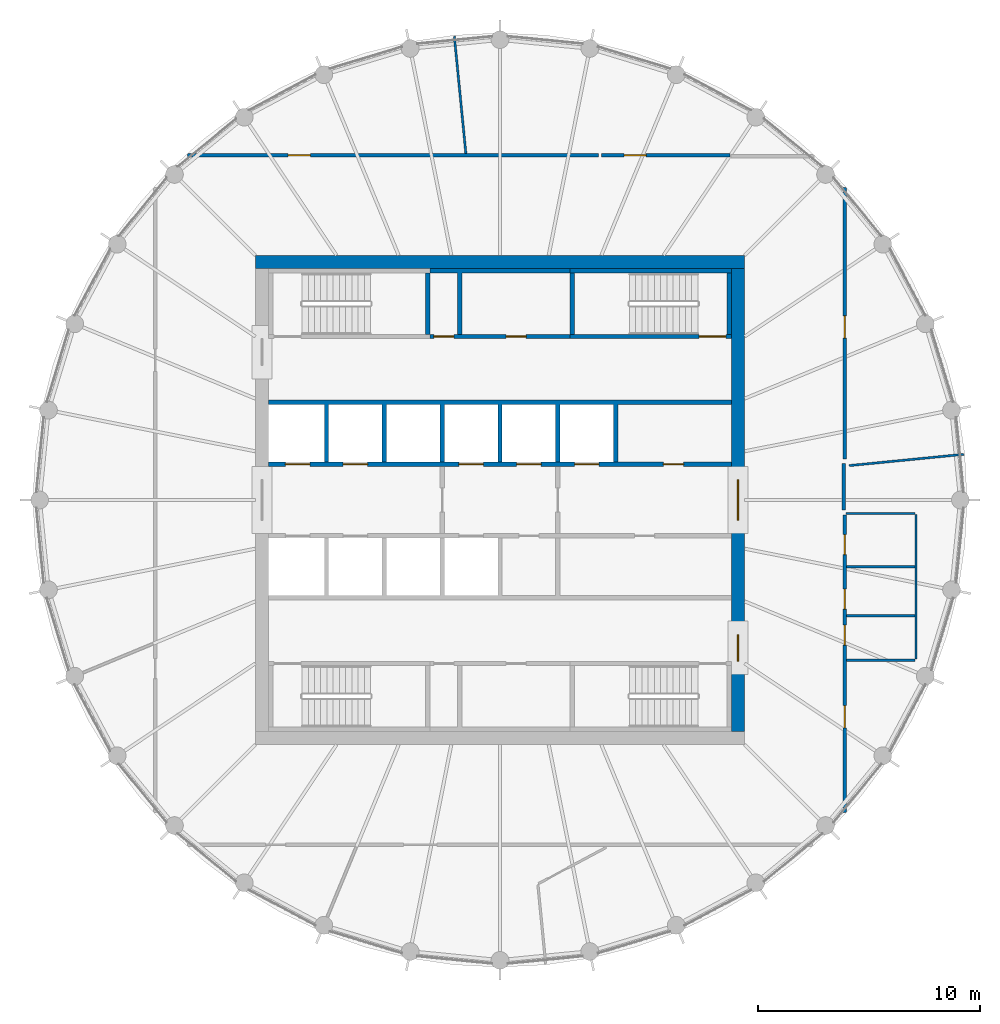
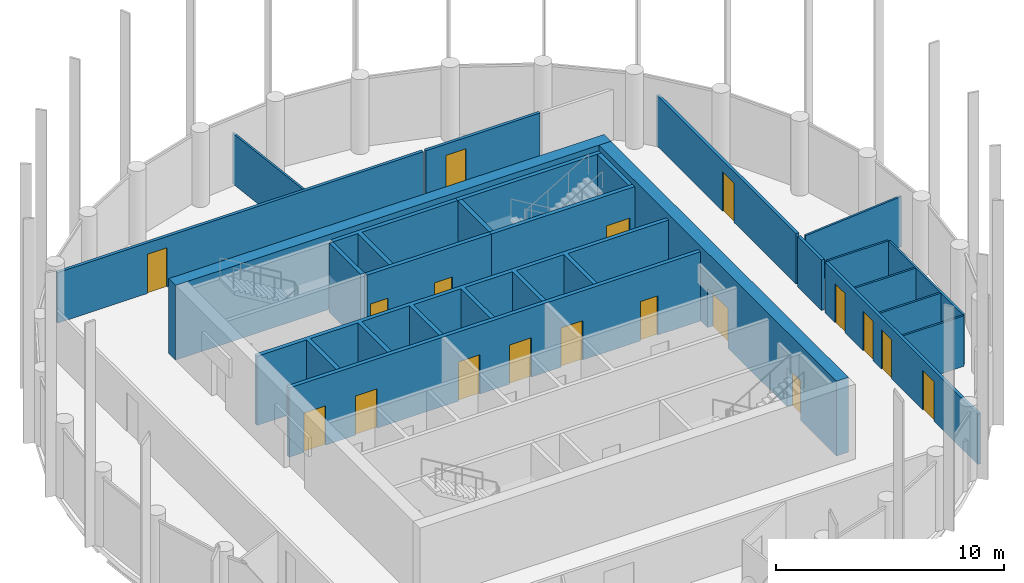
# One storey, part 5 of 7: 23 walls, 18 doors, 18 openings.
"""IFC4 building model written with IfcOpenShell, lengths in metres."""

from ifc_helpers import new_model, si_unit, direction, frame, frame_2d, origin, place, context, subcontext, project, spatial, polyline, rectangle, outline, extrude, material, layer, layer_set, type_object, element, fill, save


model = new_model("IFC4")

# Units and contexts
model_context = context("Model", 3, precision=1e-05, world=origin(), true_north=direction((0.0, 1.0)))
body_context = subcontext(model_context, "Body", "Model", "MODEL_VIEW")
ifc_project = project(units=[si_unit("LENGTHUNIT", "METRE"), si_unit("AREAUNIT", "SQUARE_METRE"), si_unit("VOLUMEUNIT", "CUBIC_METRE"), si_unit("PLANEANGLEUNIT", "RADIAN"), si_unit("MASSUNIT", "GRAM", prefix="KILO")], contexts=[model_context])

# Site, building, storey
site_placement = place(None, origin())
site = spatial("IfcSite", under=ifc_project, at=site_placement, CompositionType="ELEMENT")
building_placement = place(site_placement, origin())
building = spatial("IfcBuilding", under=site, at=building_placement, Name="Corvane Civic Tower", CompositionType="ELEMENT")
storey_placement = place(building_placement, frame((0.0, 0.0, 356.5)))
storey = spatial("IfcBuildingStorey", under=building, at=storey_placement, Name="L85", CompositionType="ELEMENT", Elevation=356.5)

# Wall
ifc_material_1 = material(Name="Concrete C40/50", Category="concrete")
ifc_layer_1 = layer(ifc_material_1, 0.60009765625)
ifc_layer_set_1 = layer_set([ifc_layer_1], Name="Concrete C40/50")
wall_type_1 = type_object("IfcWallType", Name="CORE WALL 600 C40/50", PredefinedType="SHEAR", material=ifc_layer_set_1)
wall_1_placement = place(storey_placement, frame((-11.0, 10.699951171875, 0.0), z_axis=(0.0, 0.0, 1.0), x_axis=(1.0, 0.0, 0.0)))
element("IfcWall", 1, at=wall_1_placement, inside=storey, type_object=wall_type_1, Name="W-L85-core-N", PredefinedType="SHEAR", context=body_context, shape_type="SweptSolid", body=[
    extrude(rectangle(XDim=22.0, YDim=0.60009765625, at=frame_2d((11.0, 0.0))), origin(), (0.0, 0.0, 1.0), 4.0),
])

# Wall, openings, doors
wall_2_placement = place(storey_placement, frame((10.699951171875, -10.39990234375, 0.0), z_axis=(0.0, 0.0, 1.0), x_axis=(0.0, 1.0, 0.0)))
wall_2 = element("IfcWall", 2, at=wall_2_placement, inside=storey, type_object=wall_type_1, Name="W-L85-core-E", PredefinedType="SHEAR", context=body_context, shape_type="SweptSolid", body=[
    extrude(rectangle(XDim=20.7998046875, YDim=0.60009765625, at=frame_2d((10.39990234375, 0.0))), origin(), (0.0, 0.0, 1.0), 4.0),
])
opening_1_placement = place(wall_2_placement, frame((9.5, 0.0, 0.0)))
opening_1 = element("IfcOpeningElement", 3, at=opening_1_placement, cuts=wall_2, Name="Opening L85.C15", PredefinedType="OPENING", context=body_context, shape_type="SweptSolid", body=[
    extrude(rectangle(XDim=1.800048828125, YDim=2.10009765625, at=frame_2d((0.89990234375, 1.050048828125))), frame((0.0, 0.31005859375, 0.0), z_axis=(0.0, -1.0, 0.0), x_axis=(1.0, 0.0, 0.0)), (0.0, 0.0, 1.0), 0.6201171875),
])
opening_2_placement = place(wall_2_placement, frame((3.14990234375, 0.0, 0.0)))
opening_2 = element("IfcOpeningElement", 4, at=opening_2_placement, cuts=wall_2, Name="Opening L85.C17", PredefinedType="OPENING", context=body_context, shape_type="SweptSolid", body=[
    extrude(rectangle(XDim=1.199951171875, YDim=2.10009765625, at=frame_2d((0.60009765625, 1.050048828125))), frame((0.0, 0.31005859375, 0.0), z_axis=(0.0, -1.0, 0.0), x_axis=(1.0, 0.0, 0.0)), (0.0, 0.0, 1.0), 0.6201171875),
])
ifc_material_2 = material(Name="Steel fire door leaf", Category="steel")
door_type_1 = type_object("IfcDoorType", Name="CR-DOOR-CORE-1800", OperationType="DOUBLE_DOOR_SINGLE_SWING", PredefinedType="DOOR", material=ifc_material_2)
door_1_placement = place(opening_1_placement, origin())
door_1 = element("IfcDoor", 5, at=door_1_placement, inside=storey, type_object=door_type_1, Name="L85 door", OperationType="DOUBLE_DOOR_SINGLE_SWING", OverallHeight=2.10009765625, OverallWidth=1.800048828125, PredefinedType="DOOR", context=body_context, shape_type="SweptSolid", body=[
    extrude(rectangle(XDim=1.800048828125, YDim=2.10009765625, at=frame_2d((0.89990234375, 1.050048828125))), frame((0.0, 0.02490234375, 0.0), z_axis=(0.0, -1.0, 0.0), x_axis=(1.0, 0.0, 0.0)), (0.0, 0.0, 1.0), 0.050048828125),
])
fill(opening_1, door_1)
door_2_placement = place(opening_2_placement, origin())
door_2 = element("IfcDoor", 6, at=door_2_placement, inside=storey, type_object=door_type_1, Name="L85 door", OperationType="DOUBLE_DOOR_SINGLE_SWING", OverallHeight=2.10009765625, OverallWidth=1.199951171875, PredefinedType="DOOR", context=body_context, shape_type="SweptSolid", body=[
    extrude(rectangle(XDim=1.199951171875, YDim=2.10009765625, at=frame_2d((0.60009765625, 1.050048828125))), frame((0.0, 0.02490234375, 0.0), z_axis=(0.0, -1.0, 0.0), x_axis=(1.0, 0.0, 0.0)), (0.0, 0.0, 1.0), 0.050048828125),
])
fill(opening_2, door_2)

ifc_material_3 = material(Name="Concrete C30/37", Category="concrete")
ifc_layer_2 = layer(ifc_material_3, 0.199951171875)
ifc_layer_set_2 = layer_set([ifc_layer_2], Name="Concrete C30/37")
wall_type_2 = type_object("IfcWallType", Name="CR-WALL-200", PredefinedType="PARTITIONING", material=ifc_layer_set_2)
wall_3_placement = place(storey_placement, frame((-10.39990234375, 1.60009765625, 0.0), z_axis=(0.0, 0.0, 1.0), x_axis=(1.0, 0.0, 0.0)))
wall_3 = element("IfcWall", 7, at=wall_3_placement, inside=storey, type_object=wall_type_2, Name="L85 lift shaft wall", PredefinedType="PARTITIONING", context=body_context, shape_type="SweptSolid", body=[
    extrude(rectangle(XDim=20.7998046875, YDim=0.199951171875, at=frame_2d((10.39990234375, 0.0))), origin(), (0.0, 0.0, 1.0), 3.699951171875),
])
opening_3_placement = place(wall_3_placement, frame((0.75, 0.0, 0.0)))
opening_3 = element("IfcOpeningElement", 8, at=opening_3_placement, cuts=wall_3, Name="Opening LD", PredefinedType="OPENING", context=body_context, shape_type="SweptSolid", body=[
    extrude(rectangle(XDim=1.10009765625, YDim=2.10009765625, at=frame_2d((0.550048828125, 1.050048828125))), frame((0.0, 0.10986328125, 0.0), z_axis=(0.0, -1.0, 0.0), x_axis=(1.0, 0.0, 0.0)), (0.0, 0.0, 1.0), 0.219970703125),
])
opening_4_placement = place(wall_3_placement, frame((3.35009765625, 0.0, 0.0)))
opening_4 = element("IfcOpeningElement", 9, at=opening_4_placement, cuts=wall_3, Name="Opening LD", PredefinedType="OPENING", context=body_context, shape_type="SweptSolid", body=[
    extrude(rectangle(XDim=1.10009765625, YDim=2.10009765625, at=frame_2d((0.550048828125, 1.050048828125))), frame((0.0, 0.10986328125, 0.0), z_axis=(0.0, -1.0, 0.0), x_axis=(1.0, 0.0, 0.0)), (0.0, 0.0, 1.0), 0.219970703125),
])
opening_5_placement = place(wall_3_placement, frame((8.550048828125, 0.0, 0.0)))
opening_5 = element("IfcOpeningElement", 10, at=opening_5_placement, cuts=wall_3, Name="Opening LD", PredefinedType="OPENING", context=body_context, shape_type="SweptSolid", body=[
    extrude(rectangle(XDim=1.10009765625, YDim=2.10009765625, at=frame_2d((0.550048828125, 1.050048828125))), frame((0.0, 0.10986328125, 0.0), z_axis=(0.0, -1.0, 0.0), x_axis=(1.0, 0.0, 0.0)), (0.0, 0.0, 1.0), 0.219970703125),
])
opening_6_placement = place(wall_3_placement, frame((11.14990234375, 0.0, 0.0)))
opening_6 = element("IfcOpeningElement", 11, at=opening_6_placement, cuts=wall_3, Name="Opening LD", PredefinedType="OPENING", context=body_context, shape_type="SweptSolid", body=[
    extrude(rectangle(XDim=1.10009765625, YDim=2.10009765625, at=frame_2d((0.550048828125, 1.050048828125))), frame((0.0, 0.10986328125, 0.0), z_axis=(0.0, -1.0, 0.0), x_axis=(1.0, 0.0, 0.0)), (0.0, 0.0, 1.0), 0.219970703125),
])
opening_7_placement = place(wall_3_placement, frame((13.75, 0.0, 0.0)))
opening_7 = element("IfcOpeningElement", 12, at=opening_7_placement, cuts=wall_3, Name="Opening LD", PredefinedType="OPENING", context=body_context, shape_type="SweptSolid", body=[
    extrude(rectangle(XDim=1.10009765625, YDim=2.10009765625, at=frame_2d((0.550048828125, 1.050048828125))), frame((0.0, 0.10986328125, 0.0), z_axis=(0.0, -1.0, 0.0), x_axis=(1.0, 0.0, 0.0)), (0.0, 0.0, 1.0), 0.219970703125),
])
opening_8_placement = place(wall_3_placement, frame((17.75, 0.0, 0.0)))
opening_8 = element("IfcOpeningElement", 13, at=opening_8_placement, cuts=wall_3, Name="Opening L85.C01", PredefinedType="OPENING", context=body_context, shape_type="SweptSolid", body=[
    extrude(rectangle(XDim=0.89990234375, YDim=2.10009765625, at=frame_2d((0.449951171875, 1.050048828125))), frame((0.0, 0.10986328125, 0.0), z_axis=(0.0, -1.0, 0.0), x_axis=(1.0, 0.0, 0.0)), (0.0, 0.0, 1.0), 0.219970703125),
])
ifc_material_4 = material(Name="Steel fire door leaf", Category="steel")
door_type_2 = type_object("IfcDoorType", Name="CR-DOOR-900", OperationType="SINGLE_SWING_LEFT", PredefinedType="DOOR", material=ifc_material_4)
door_3_placement = place(opening_8_placement, origin())
door_3 = element("IfcDoor", 14, at=door_3_placement, inside=storey, type_object=door_type_2, Name="L85 door", OperationType="SINGLE_SWING_LEFT", OverallHeight=2.10009765625, OverallWidth=0.89990234375, PredefinedType="DOOR", context=body_context, shape_type="SweptSolid", body=[
    extrude(rectangle(XDim=0.89990234375, YDim=2.10009765625, at=frame_2d((0.449951171875, 1.050048828125))), frame((0.0, 0.02490234375, 0.0), z_axis=(0.0, -1.0, 0.0), x_axis=(1.0, 0.0, 0.0)), (0.0, 0.0, 1.0), 0.050048828125),
])
fill(opening_8, door_3)
ifc_material_5 = material(Name="Stainless steel 316 door leaves", Category="steel")
door_type_3 = type_object("IfcDoorType", Name="LD", OperationType="DOUBLE_DOOR_SLIDING", PredefinedType="DOOR", material=ifc_material_5)
door_4_placement = place(opening_3_placement, origin())
door_4 = element("IfcDoor", 15, at=door_4_placement, inside=storey, type_object=door_type_3, Name="L85 landing door", OperationType="DOUBLE_DOOR_SLIDING", OverallHeight=2.10009765625, OverallWidth=1.10009765625, PredefinedType="DOOR", context=body_context, shape_type="SweptSolid", body=[
    extrude(rectangle(XDim=1.10009765625, YDim=2.10009765625, at=frame_2d((0.550048828125, 1.050048828125))), frame((0.0, 0.02490234375, 0.0), z_axis=(0.0, -1.0, 0.0), x_axis=(1.0, 0.0, 0.0)), (0.0, 0.0, 1.0), 0.050048828125),
])
fill(opening_3, door_4)
door_5_placement = place(opening_4_placement, origin())
door_5 = element("IfcDoor", 16, at=door_5_placement, inside=storey, type_object=door_type_3, Name="L85 landing door", OperationType="DOUBLE_DOOR_SLIDING", OverallHeight=2.10009765625, OverallWidth=1.10009765625, PredefinedType="DOOR", context=body_context, shape_type="SweptSolid", body=[
    extrude(rectangle(XDim=1.10009765625, YDim=2.10009765625, at=frame_2d((0.550048828125, 1.050048828125))), frame((0.0, 0.02490234375, 0.0), z_axis=(0.0, -1.0, 0.0), x_axis=(1.0, 0.0, 0.0)), (0.0, 0.0, 1.0), 0.050048828125),
])
fill(opening_4, door_5)
door_6_placement = place(opening_5_placement, origin())
door_6 = element("IfcDoor", 17, at=door_6_placement, inside=storey, type_object=door_type_3, Name="L85 landing door", OperationType="DOUBLE_DOOR_SLIDING", OverallHeight=2.10009765625, OverallWidth=1.10009765625, PredefinedType="DOOR", context=body_context, shape_type="SweptSolid", body=[
    extrude(rectangle(XDim=1.10009765625, YDim=2.10009765625, at=frame_2d((0.550048828125, 1.050048828125))), frame((0.0, 0.02490234375, 0.0), z_axis=(0.0, -1.0, 0.0), x_axis=(1.0, 0.0, 0.0)), (0.0, 0.0, 1.0), 0.050048828125),
])
fill(opening_5, door_6)
door_7_placement = place(opening_6_placement, origin())
door_7 = element("IfcDoor", 18, at=door_7_placement, inside=storey, type_object=door_type_3, Name="L85 landing door", OperationType="DOUBLE_DOOR_SLIDING", OverallHeight=2.10009765625, OverallWidth=1.10009765625, PredefinedType="DOOR", context=body_context, shape_type="SweptSolid", body=[
    extrude(rectangle(XDim=1.10009765625, YDim=2.10009765625, at=frame_2d((0.550048828125, 1.050048828125))), frame((0.0, 0.02490234375, 0.0), z_axis=(0.0, -1.0, 0.0), x_axis=(1.0, 0.0, 0.0)), (0.0, 0.0, 1.0), 0.050048828125),
])
fill(opening_6, door_7)
door_8_placement = place(opening_7_placement, origin())
door_8 = element("IfcDoor", 19, at=door_8_placement, inside=storey, type_object=door_type_3, Name="L85 landing door", OperationType="DOUBLE_DOOR_SLIDING", OverallHeight=2.10009765625, OverallWidth=1.10009765625, PredefinedType="DOOR", context=body_context, shape_type="SweptSolid", body=[
    extrude(rectangle(XDim=1.10009765625, YDim=2.10009765625, at=frame_2d((0.550048828125, 1.050048828125))), frame((0.0, 0.02490234375, 0.0), z_axis=(0.0, -1.0, 0.0), x_axis=(1.0, 0.0, 0.0)), (0.0, 0.0, 1.0), 0.050048828125),
])
fill(opening_7, door_8)

wall_4_placement = place(storey_placement, frame((-3.14990234375, 7.35009765625, 0.0), z_axis=(0.0, 0.0, 1.0), x_axis=(1.0, 0.0, 0.0)))
wall_4 = element("IfcWall", 20, at=wall_4_placement, inside=storey, type_object=wall_type_2, Name="L85 core partition wall", PredefinedType="PARTITIONING", context=body_context, shape_type="SweptSolid", body=[
    extrude(rectangle(XDim=6.2998046875, YDim=0.199951171875, at=frame_2d((3.14990234375, 0.0))), origin(), (0.0, 0.0, 1.0), 3.699951171875),
])
opening_9_placement = place(wall_4_placement, frame((0.175048828125, 0.0, 0.0)))
opening_9 = element("IfcOpeningElement", 21, at=opening_9_placement, cuts=wall_4, Name="Opening L85.C04", PredefinedType="OPENING", context=body_context, shape_type="SweptSolid", body=[
    extrude(rectangle(XDim=0.89990234375, YDim=2.10009765625, at=frame_2d((0.449951171875, 1.050048828125))), frame((0.0, 0.10986328125, 0.0), z_axis=(0.0, -1.0, 0.0), x_axis=(1.0, 0.0, 0.0)), (0.0, 0.0, 1.0), 0.219970703125),
])
opening_10_placement = place(wall_4_placement, frame((3.425048828125, 0.0, 0.0)))
opening_10 = element("IfcOpeningElement", 22, at=opening_10_placement, cuts=wall_4, Name="Opening L85.C05", PredefinedType="OPENING", context=body_context, shape_type="SweptSolid", body=[
    extrude(rectangle(XDim=0.89990234375, YDim=2.10009765625, at=frame_2d((0.449951171875, 1.050048828125))), frame((0.0, 0.10986328125, 0.0), z_axis=(0.0, -1.0, 0.0), x_axis=(1.0, 0.0, 0.0)), (0.0, 0.0, 1.0), 0.219970703125),
])
door_9_placement = place(opening_9_placement, origin())
door_9 = element("IfcDoor", 23, at=door_9_placement, inside=storey, type_object=door_type_2, Name="L85 door", OperationType="SINGLE_SWING_LEFT", OverallHeight=2.10009765625, OverallWidth=0.89990234375, PredefinedType="DOOR", context=body_context, shape_type="SweptSolid", body=[
    extrude(rectangle(XDim=0.89990234375, YDim=2.10009765625, at=frame_2d((0.449951171875, 1.050048828125))), frame((0.0, 0.02490234375, 0.0), z_axis=(0.0, -1.0, 0.0), x_axis=(1.0, 0.0, 0.0)), (0.0, 0.0, 1.0), 0.050048828125),
])
fill(opening_9, door_9)
door_10_placement = place(opening_10_placement, origin())
door_10 = element("IfcDoor", 24, at=door_10_placement, inside=storey, type_object=door_type_2, Name="L85 door", OperationType="SINGLE_SWING_LEFT", OverallHeight=2.10009765625, OverallWidth=0.89990234375, PredefinedType="DOOR", context=body_context, shape_type="SweptSolid", body=[
    extrude(rectangle(XDim=0.89990234375, YDim=2.10009765625, at=frame_2d((0.449951171875, 1.050048828125))), frame((0.0, 0.02490234375, 0.0), z_axis=(0.0, -1.0, 0.0), x_axis=(1.0, 0.0, 0.0)), (0.0, 0.0, 1.0), 0.050048828125),
])
fill(opening_10, door_10)

# Walls
wall_5_placement = place(storey_placement, origin())
element("IfcWall", 25, at=wall_5_placement, inside=storey, type_object=wall_type_2, Name="L85 core partition wall", PredefinedType="PARTITIONING", context=body_context, shape_type="SweptSolid", body=[
    extrude(outline(polyline([(-7.699951171875, 1.699951171875), (-7.89990234375, 1.699951171875), (-7.89990234375, 4.300048828125), (-10.39990234375, 4.300048828125), (-10.39990234375, 4.5), (10.39990234375, 4.5), (10.39990234375, 4.300048828125), (5.300048828125, 4.300048828125), (5.300048828125, 1.699951171875), (5.10009765625, 1.699951171875), (5.10009765625, 4.300048828125), (2.699951171875, 4.300048828125), (2.699951171875, 1.699951171875), (2.5, 1.699951171875), (2.5, 4.300048828125), (0.10009765625, 4.300048828125), (0.10009765625, 1.699951171875), (-0.10009765625, 1.699951171875), (-0.10009765625, 4.300048828125), (-2.5, 4.300048828125), (-2.5, 1.699951171875), (-2.699951171875, 1.699951171875), (-2.699951171875, 4.300048828125), (-5.10009765625, 4.300048828125), (-5.10009765625, 1.699951171875), (-5.300048828125, 1.699951171875), (-5.300048828125, 4.300048828125), (-7.699951171875, 4.300048828125), (-7.699951171875, 1.699951171875)])), origin(), (0.0, 0.0, 1.0), 3.699951171875),
])
wall_6_placement = place(storey_placement, origin())
element("IfcWall", 26, at=wall_6_placement, inside=storey, type_object=wall_type_2, Name="L85 core partition wall", PredefinedType="PARTITIONING", context=body_context, shape_type="SweptSolid", body=[
    extrude(outline(polyline([(-1.699951171875, 7.449951171875), (-1.89990234375, 7.449951171875), (-1.89990234375, 10.199951171875), (-3.14990234375, 10.199951171875), (-3.14990234375, 10.39990234375), (3.14990234375, 10.39990234375), (3.14990234375, 10.199951171875), (-1.699951171875, 10.199951171875), (-1.699951171875, 7.449951171875)])), origin(), (0.0, 0.0, 1.0), 3.699951171875),
])
ifc_material_6 = material(Name="Plasterboard")
ifc_layer_3 = layer(ifc_material_6, 0.10009765625)
ifc_layer_set_3 = layer_set([ifc_layer_3], Name="Plasterboard")
wall_type_3 = type_object("IfcWallType", Name="Partition 100 plasterboard on studs", PredefinedType="PARTITIONING", material=ifc_layer_set_3)
wall_7_placement = place(storey_placement, frame((15.574951171875, -7.20458984375, 0.0), z_axis=(0.0, 0.0, 1.0), x_axis=(1.0, 0.0, 0.0)))
element("IfcWall", 27, at=wall_7_placement, inside=storey, type_object=wall_type_3, Name="Partition L85.008", PredefinedType="PARTITIONING", context=body_context, shape_type="SweptSolid", body=[
    extrude(rectangle(XDim=3.074951171875, YDim=0.10009765625, at=frame_2d((1.53759765625, 0.0))), origin(), (0.0, 0.0, 1.0), 2.699951171875),
])
wall_8_placement = place(storey_placement, frame((18.699951171875, -7.154541015625, 0.0), z_axis=(0.0, 0.0, 1.0), x_axis=(0.0, 1.0, 0.0)))
element("IfcWall", 28, at=wall_8_placement, inside=storey, type_object=wall_type_3, Name="Partition L85.009", PredefinedType="PARTITIONING", context=body_context, shape_type="SweptSolid", body=[
    extrude(rectangle(XDim=6.5, YDim=0.10009765625, at=frame_2d((3.25, 0.0))), origin(), (0.0, 0.0, 1.0), 2.699951171875),
])
for number, where, z_axis, x_axis, name in (
    (29, (15.574951171875, -5.20458984375, 0.0), (0.0, 0.0, 1.0), (1.0, 0.0, 0.0), "Partition L85.010"),
    (30, (15.574951171875, -3.004638671875, 0.0), (0.0, 0.0, 1.0), (1.0, 0.0, 0.0), "Partition L85.011"),
):
    element("IfcWall", number, at=place(storey_placement, frame(where, z_axis=z_axis, x_axis=x_axis)), inside=storey, type_object=wall_type_3, Name=name, PredefinedType="PARTITIONING", context=body_context, shape_type="SweptSolid", body=[
        extrude(rectangle(XDim=3.074951171875, YDim=0.10009765625, at=frame_2d((1.53759765625, 0.0))), origin(), (0.0, 0.0, 1.0), 2.699951171875),
    ])
wall_9_placement = place(storey_placement, frame((15.550048828125, -0.6044921875, 0.0), z_axis=(0.0, 0.0, 1.0), x_axis=(1.0, 0.0, 0.0)))
element("IfcWall", 31, at=wall_9_placement, inside=storey, type_object=wall_type_3, Name="Partition L85.012", PredefinedType="PARTITIONING", context=body_context, shape_type="SweptSolid", body=[
    extrude(rectangle(XDim=3.099853515625, YDim=0.10009765625, at=frame_2d((1.5498046875, 0.0))), origin(), (0.0, 0.0, 1.0), 2.699951171875),
])
wall_10_placement = place(storey_placement, frame((15.69970703125, 1.54638671875, 0.0), z_axis=(0.0, 0.0, 1.0), x_axis=(0.995186931694, 0.097994749781, 0.0)))
element("IfcWall", 32, at=wall_10_placement, inside=storey, type_object=wall_type_3, Name="Partition L85.014", PredefinedType="PARTITIONING", context=body_context, shape_type="SweptSolid", body=[
    extrude(rectangle(XDim=5.174560546875, YDim=0.10009765625, at=frame_2d((2.58740234375, 0.0))), origin(), (0.0, 0.0, 1.0), 2.699951171875),
])
wall_11_placement = place(storey_placement, frame((-2.053466796875, 20.849365234375, 0.0), z_axis=(0.0, 0.0, 1.0), x_axis=(0.098024517427, -0.995184000064, 0.0)))
element("IfcWall", 33, at=wall_11_placement, inside=storey, type_object=wall_type_3, Name="Partition L85.019", PredefinedType="PARTITIONING", context=body_context, shape_type="SweptSolid", body=[
    extrude(rectangle(XDim=5.294921875, YDim=0.10009765625, at=frame_2d((2.6474609375, 0.0))), origin(), (0.0, 0.0, 1.0), 2.699951171875),
])

# Wall, opening, door
ifc_material_7 = material(Name="Concrete C50/60", Category="concrete")
ifc_layer_4 = layer(ifc_material_7, 0.199951171875)
ifc_layer_set_4 = layer_set([ifc_layer_4], Name="Concrete C50/60")
wall_type_4 = type_object("IfcWallType", Name="ST-WALL-200", PredefinedType="SHEAR", material=ifc_layer_set_4)
wall_12_placement = place(storey_placement, frame((3.14990234375, 7.35009765625, 0.0), z_axis=(0.0, 0.0, 1.0), x_axis=(1.0, 0.0, 0.0)))
wall_12 = element("IfcWall", 34, at=wall_12_placement, inside=storey, type_object=wall_type_4, Name="L85 stair enclosure wall", PredefinedType="SHEAR", context=body_context, shape_type="SweptSolid", body=[
    extrude(rectangle(XDim=7.25, YDim=0.199951171875, at=frame_2d((3.625, 0.0))), origin(), (0.0, 0.0, 1.0), 3.699951171875),
])
opening_11_placement = place(wall_12_placement, frame((5.800048828125, 0.0, 0.0)))
opening_11 = element("IfcOpeningElement", 35, at=opening_11_placement, cuts=wall_12, Name="Opening L85.C08", PredefinedType="OPENING", context=body_context, shape_type="SweptSolid", body=[
    extrude(rectangle(XDim=1.199951171875, YDim=2.10009765625, at=frame_2d((0.60009765625, 1.050048828125))), frame((0.0, 0.10986328125, 0.0), z_axis=(0.0, -1.0, 0.0), x_axis=(1.0, 0.0, 0.0)), (0.0, 0.0, 1.0), 0.219970703125),
])
ifc_material_8 = material(Name="Steel fire door leaf", Category="steel")
door_type_4 = type_object("IfcDoorType", Name="ST-DOOR-1200", OperationType="SINGLE_SWING_RIGHT", PredefinedType="DOOR", material=ifc_material_8)
door_11_placement = place(opening_11_placement, origin())
door_11 = element("IfcDoor", 36, at=door_11_placement, inside=storey, type_object=door_type_4, Name="L85 stair door", OperationType="SINGLE_SWING_RIGHT", OverallHeight=2.10009765625, OverallWidth=1.199951171875, PredefinedType="DOOR", context=body_context, shape_type="SweptSolid", body=[
    extrude(rectangle(XDim=1.199951171875, YDim=2.10009765625, at=frame_2d((0.60009765625, 1.050048828125))), frame((0.0, 0.02490234375, 0.0), z_axis=(0.0, -1.0, 0.0), x_axis=(1.0, 0.0, 0.0)), (0.0, 0.0, 1.0), 0.050048828125),
])
fill(opening_11, door_11)

# Walls
wall_13_placement = place(storey_placement, origin())
element("IfcWall", 37, at=wall_13_placement, inside=storey, type_object=wall_type_4, Name="L85 stair enclosure wall", PredefinedType="SHEAR", context=body_context, shape_type="SweptSolid", body=[
    extrude(outline(polyline([(10.39990234375, 10.199951171875), (3.14990234375, 10.199951171875), (3.14990234375, 10.39990234375), (10.39990234375, 10.39990234375), (10.39990234375, 10.199951171875)])), origin(), (0.0, 0.0, 1.0), 3.699951171875),
])
wall_14_placement = place(storey_placement, origin())
element("IfcWall", 38, at=wall_14_placement, inside=storey, type_object=wall_type_4, Name="L85 stair enclosure wall", PredefinedType="SHEAR", context=body_context, shape_type="SweptSolid", body=[
    extrude(outline(polyline([(-3.14990234375, 7.449951171875), (-3.35009765625, 7.449951171875), (-3.35009765625, 10.199951171875), (-3.14990234375, 10.199951171875), (-3.14990234375, 7.449951171875)])), origin(), (0.0, 0.0, 1.0), 3.699951171875),
])
wall_15_placement = place(storey_placement, origin())
element("IfcWall", 39, at=wall_15_placement, inside=storey, type_object=wall_type_4, Name="L85 stair enclosure wall", PredefinedType="SHEAR", context=body_context, shape_type="SweptSolid", body=[
    extrude(outline(polyline([(3.35009765625, 7.449951171875), (3.14990234375, 7.449951171875), (3.14990234375, 10.199951171875), (3.35009765625, 10.199951171875), (3.35009765625, 7.449951171875)])), origin(), (0.0, 0.0, 1.0), 3.699951171875),
])
wall_16_placement = place(storey_placement, origin())
element("IfcWall", 40, at=wall_16_placement, inside=storey, type_object=wall_type_4, Name="L85 stair enclosure wall", PredefinedType="SHEAR", context=body_context, shape_type="SweptSolid", body=[
    extrude(outline(polyline([(10.39990234375, 7.449951171875), (10.199951171875, 7.449951171875), (10.199951171875, 10.199951171875), (10.39990234375, 10.199951171875), (10.39990234375, 7.449951171875)])), origin(), (0.0, 0.0, 1.0), 3.699951171875),
])

# Wall, openings, doors
ifc_material_9 = material(Name="Plasterboard")
ifc_layer_5 = layer(ifc_material_9, 0.14990234375)
ifc_layer_set_5 = layer_set([ifc_layer_5], Name="Plasterboard")
wall_type_5 = type_object("IfcWallType", Name="Tenancy wall 150 EI 60", PredefinedType="PARTITIONING", material=ifc_layer_set_5)
wall_17_placement = place(storey_placement, frame((15.5, -14.05712890625, 0.0), z_axis=(0.0, 0.0, 1.0), x_axis=(0.0, 1.0, 0.0)))
wall_17 = element("IfcWall", 41, at=wall_17_placement, inside=storey, type_object=wall_type_5, Name="Partition L85.006", PredefinedType="PARTITIONING", context=body_context, shape_type="SweptSolid", body=[
    extrude(rectangle(XDim=13.37744140625, YDim=0.14990234375, at=frame_2d((6.688720703125, 0.0))), origin(), (0.0, 0.0, 1.0), 2.699951171875),
])
opening_12_placement = place(wall_17_placement, frame((3.817138671875, 0.0, 0.0)))
opening_12 = element("IfcOpeningElement", 42, at=opening_12_placement, cuts=wall_17, Name="Opening L85.007", PredefinedType="OPENING", context=body_context, shape_type="SweptSolid", body=[
    extrude(rectangle(XDim=1.0, YDim=2.10009765625, at=frame_2d((0.5, 1.050048828125))), frame((0.0, 0.0849609375, 0.0), z_axis=(0.0, -1.0, 0.0), x_axis=(1.0, 0.0, 0.0)), (0.0, 0.0, 1.0), 0.169921875),
])
opening_13_placement = place(wall_17_placement, frame((11.605712890625, 0.0, 0.0)))
opening_13 = element("IfcOpeningElement", 43, at=opening_13_placement, cuts=wall_17, Name="Opening L85.008", PredefinedType="OPENING", context=body_context, shape_type="SweptSolid", body=[
    extrude(rectangle(XDim=0.89990234375, YDim=2.10009765625, at=frame_2d((0.449951171875, 1.050048828125))), frame((0.0, 0.0849609375, 0.0), z_axis=(0.0, -1.0, 0.0), x_axis=(1.0, 0.0, 0.0)), (0.0, 0.0, 1.0), 0.169921875),
])
opening_14_placement = place(wall_17_placement, frame((9.1533203125, 0.0, 0.0)))
opening_14 = element("IfcOpeningElement", 44, at=opening_14_placement, cuts=wall_17, Name="Opening L85.009", PredefinedType="OPENING", context=body_context, shape_type="SweptSolid", body=[
    extrude(rectangle(XDim=0.89990234375, YDim=2.10009765625, at=frame_2d((0.449951171875, 1.050048828125))), frame((0.0, 0.0849609375, 0.0), z_axis=(0.0, -1.0, 0.0), x_axis=(1.0, 0.0, 0.0)), (0.0, 0.0, 1.0), 0.169921875),
])
opening_15_placement = place(wall_17_placement, frame((7.529296875, 0.0, 0.0)))
opening_15 = element("IfcOpeningElement", 45, at=opening_15_placement, cuts=wall_17, Name="Opening L85.010", PredefinedType="OPENING", context=body_context, shape_type="SweptSolid", body=[
    extrude(rectangle(XDim=0.89990234375, YDim=2.10009765625, at=frame_2d((0.449951171875, 1.050048828125))), frame((0.0, 0.0849609375, 0.0), z_axis=(0.0, -1.0, 0.0), x_axis=(1.0, 0.0, 0.0)), (0.0, 0.0, 1.0), 0.169921875),
])
ifc_material_10 = material(Name="Steel and timber", Category="steel")
door_type_5 = type_object("IfcDoorType", Name="Fire door FD30S 1000", OperationType="NOTDEFINED", PredefinedType="DOOR", material=ifc_material_10)
door_12_placement = place(opening_12_placement, frame((1.0, 0.0, 0.0), z_axis=(0.0, 0.0, 1.0), x_axis=(-1.0, 0.0, 0.0)))
door_12 = element("IfcDoor", 46, at=door_12_placement, inside=storey, type_object=door_type_5, Name="Door L85.007", OperationType="SINGLE_SWING_LEFT", OverallHeight=2.10009765625, OverallWidth=1.0, PredefinedType="DOOR", context=body_context, shape_type="SweptSolid", body=[
    extrude(rectangle(XDim=1.0, YDim=2.10009765625, at=frame_2d((0.5, 1.050048828125))), frame((0.0, 0.02490234375, 0.0), z_axis=(0.0, -1.0, 0.0), x_axis=(1.0, 0.0, 0.0)), (0.0, 0.0, 1.0), 0.050048828125),
])
fill(opening_12, door_12)
ifc_material_11 = material(Name="Steel and timber", Category="steel")
door_type_6 = type_object("IfcDoorType", Name="Fire door FD30S 900", OperationType="NOTDEFINED", PredefinedType="DOOR", material=ifc_material_11)
door_13_placement = place(opening_13_placement, frame((0.89990234375, 0.0, 0.0), z_axis=(0.0, 0.0, 1.0), x_axis=(-1.0, 0.0, 0.0)))
door_13 = element("IfcDoor", 47, at=door_13_placement, inside=storey, type_object=door_type_6, Name="Door L85.008", OperationType="SINGLE_SWING_RIGHT", OverallHeight=2.10009765625, OverallWidth=0.89990234375, PredefinedType="DOOR", context=body_context, shape_type="SweptSolid", body=[
    extrude(rectangle(XDim=0.89990234375, YDim=2.10009765625, at=frame_2d((0.449951171875, 1.050048828125))), frame((0.0, 0.02490234375, 0.0), z_axis=(0.0, -1.0, 0.0), x_axis=(1.0, 0.0, 0.0)), (0.0, 0.0, 1.0), 0.050048828125),
])
fill(opening_13, door_13)
door_14_placement = place(opening_14_placement, frame((0.89990234375, 0.0, 0.0), z_axis=(0.0, 0.0, 1.0), x_axis=(-1.0, 0.0, 0.0)))
door_14 = element("IfcDoor", 48, at=door_14_placement, inside=storey, type_object=door_type_6, Name="Door L85.009", OperationType="SINGLE_SWING_LEFT", OverallHeight=2.10009765625, OverallWidth=0.89990234375, PredefinedType="DOOR", context=body_context, shape_type="SweptSolid", body=[
    extrude(rectangle(XDim=0.89990234375, YDim=2.10009765625, at=frame_2d((0.449951171875, 1.050048828125))), frame((0.0, 0.02490234375, 0.0), z_axis=(0.0, -1.0, 0.0), x_axis=(1.0, 0.0, 0.0)), (0.0, 0.0, 1.0), 0.050048828125),
])
fill(opening_14, door_14)
door_15_placement = place(opening_15_placement, frame((0.89990234375, 0.0, 0.0), z_axis=(0.0, 0.0, 1.0), x_axis=(-1.0, 0.0, 0.0)))
door_15 = element("IfcDoor", 49, at=door_15_placement, inside=storey, type_object=door_type_6, Name="Door L85.010", OperationType="SINGLE_SWING_LEFT", OverallHeight=2.10009765625, OverallWidth=0.89990234375, PredefinedType="DOOR", context=body_context, shape_type="SweptSolid", body=[
    extrude(rectangle(XDim=0.89990234375, YDim=2.10009765625, at=frame_2d((0.449951171875, 1.050048828125))), frame((0.0, 0.02490234375, 0.0), z_axis=(0.0, -1.0, 0.0), x_axis=(1.0, 0.0, 0.0)), (0.0, 0.0, 1.0), 0.050048828125),
])
fill(opening_15, door_15)

# Wall
wall_18_placement = place(storey_placement, frame((15.449951171875, -0.460693359375, 0.0), z_axis=(0.0, 0.0, 1.0), x_axis=(0.0, 1.0, 0.0)))
element("IfcWall", 50, at=wall_18_placement, inside=storey, type_object=wall_type_5, Name="Partition L85.013", PredefinedType="PARTITIONING", context=body_context, shape_type="SweptSolid", body=[
    extrude(rectangle(XDim=2.096923828125, YDim=0.14990234375, at=frame_2d((1.04833984375, 0.0))), origin(), (0.0, 0.0, 1.0), 2.699951171875),
])

# Wall, opening, door
wall_19_placement = place(storey_placement, frame((15.5, 1.844482421875, 0.0), z_axis=(0.0, 0.0, 1.0), x_axis=(0.0, 1.0, 0.0)))
wall_19 = element("IfcWall", 51, at=wall_19_placement, inside=storey, type_object=wall_type_5, Name="Partition L85.015", PredefinedType="PARTITIONING", context=body_context, shape_type="SweptSolid", body=[
    extrude(rectangle(XDim=12.212646484375, YDim=0.14990234375, at=frame_2d((6.1064453125, 0.0))), origin(), (0.0, 0.0, 1.0), 2.699951171875),
])
opening_16_placement = place(wall_19_placement, frame((5.437255859375, 0.0, 0.0)))
opening_16 = element("IfcOpeningElement", 52, at=opening_16_placement, cuts=wall_19, Name="Opening L85.006", PredefinedType="OPENING", context=body_context, shape_type="SweptSolid", body=[
    extrude(rectangle(XDim=1.0, YDim=2.10009765625, at=frame_2d((0.5, 1.050048828125))), frame((0.0, 0.0849609375, 0.0), z_axis=(0.0, -1.0, 0.0), x_axis=(1.0, 0.0, 0.0)), (0.0, 0.0, 1.0), 0.169921875),
])
door_16_placement = place(opening_16_placement, frame((1.0, 0.0, 0.0), z_axis=(0.0, 0.0, 1.0), x_axis=(-1.0, 0.0, 0.0)))
door_16 = element("IfcDoor", 53, at=door_16_placement, inside=storey, type_object=door_type_5, Name="Door L85.006", OperationType="SINGLE_SWING_LEFT", OverallHeight=2.10009765625, OverallWidth=1.0, PredefinedType="DOOR", context=body_context, shape_type="SweptSolid", body=[
    extrude(rectangle(XDim=1.0, YDim=2.10009765625, at=frame_2d((0.5, 1.050048828125))), frame((0.0, 0.02490234375, 0.0), z_axis=(0.0, -1.0, 0.0), x_axis=(1.0, 0.0, 0.0)), (0.0, 0.0, 1.0), 0.050048828125),
])
fill(opening_16, door_16)

wall_20_placement = place(storey_placement, frame((-14.05712890625, 15.5, 0.0), z_axis=(0.0, 0.0, 1.0), x_axis=(1.0, 0.0, 0.0)))
wall_20 = element("IfcWall", 54, at=wall_20_placement, inside=storey, type_object=wall_type_5, Name="Partition L85.017", PredefinedType="PARTITIONING", context=body_context, shape_type="SweptSolid", body=[
    extrude(rectangle(XDim=18.489013671875, YDim=0.14990234375, at=frame_2d((9.24462890625, 0.0))), origin(), (0.0, 0.0, 1.0), 2.699951171875),
])
opening_17_placement = place(wall_20_placement, frame((4.53564453125, 0.0, 0.0)))
opening_17 = element("IfcOpeningElement", 55, at=opening_17_placement, cuts=wall_20, Name="Opening L85.004", PredefinedType="OPENING", context=body_context, shape_type="SweptSolid", body=[
    extrude(rectangle(XDim=1.0, YDim=2.10009765625, at=frame_2d((0.5, 1.050048828125))), frame((0.0, 0.0849609375, 0.0), z_axis=(0.0, -1.0, 0.0), x_axis=(1.0, 0.0, 0.0)), (0.0, 0.0, 1.0), 0.169921875),
])
door_17_placement = place(opening_17_placement, origin())
door_17 = element("IfcDoor", 56, at=door_17_placement, inside=storey, type_object=door_type_5, Name="Door L85.004", OperationType="SINGLE_SWING_LEFT", OverallHeight=2.10009765625, OverallWidth=1.0, PredefinedType="DOOR", context=body_context, shape_type="SweptSolid", body=[
    extrude(rectangle(XDim=1.0, YDim=2.10009765625, at=frame_2d((0.5, 1.050048828125))), frame((0.0, 0.02490234375, 0.0), z_axis=(0.0, -1.0, 0.0), x_axis=(1.0, 0.0, 0.0)), (0.0, 0.0, 1.0), 0.050048828125),
])
fill(opening_17, door_17)

wall_21_placement = place(storey_placement, frame((4.5595703125, 15.5, 0.0), z_axis=(0.0, 0.0, 1.0), x_axis=(1.0, 0.0, 0.0)))
wall_21 = element("IfcWall", 57, at=wall_21_placement, inside=storey, type_object=wall_type_5, Name="Partition L85.018", PredefinedType="PARTITIONING", context=body_context, shape_type="SweptSolid", body=[
    extrude(rectangle(XDim=5.771240234375, YDim=0.14990234375, at=frame_2d((2.8857421875, 0.0))), origin(), (0.0, 0.0, 1.0), 2.699951171875),
])
opening_18_placement = place(wall_21_placement, frame((1.015380859375, 0.0, 0.0)))
opening_18 = element("IfcOpeningElement", 58, at=opening_18_placement, cuts=wall_21, Name="Opening L85.005", PredefinedType="OPENING", context=body_context, shape_type="SweptSolid", body=[
    extrude(rectangle(XDim=1.0, YDim=2.10009765625, at=frame_2d((0.5, 1.050048828125))), frame((0.0, 0.0849609375, 0.0), z_axis=(0.0, -1.0, 0.0), x_axis=(1.0, 0.0, 0.0)), (0.0, 0.0, 1.0), 0.169921875),
])
door_18_placement = place(opening_18_placement, origin())
door_18 = element("IfcDoor", 59, at=door_18_placement, inside=storey, type_object=door_type_5, Name="Door L85.005", OperationType="SINGLE_SWING_RIGHT", OverallHeight=2.10009765625, OverallWidth=1.0, PredefinedType="DOOR", context=body_context, shape_type="SweptSolid", body=[
    extrude(rectangle(XDim=1.0, YDim=2.10009765625, at=frame_2d((0.5, 1.050048828125))), frame((0.0, 0.02490234375, 0.0), z_axis=(0.0, -1.0, 0.0), x_axis=(1.0, 0.0, 0.0)), (0.0, 0.0, 1.0), 0.050048828125),
])
fill(opening_18, door_18)

save(model, "model.ifc")
